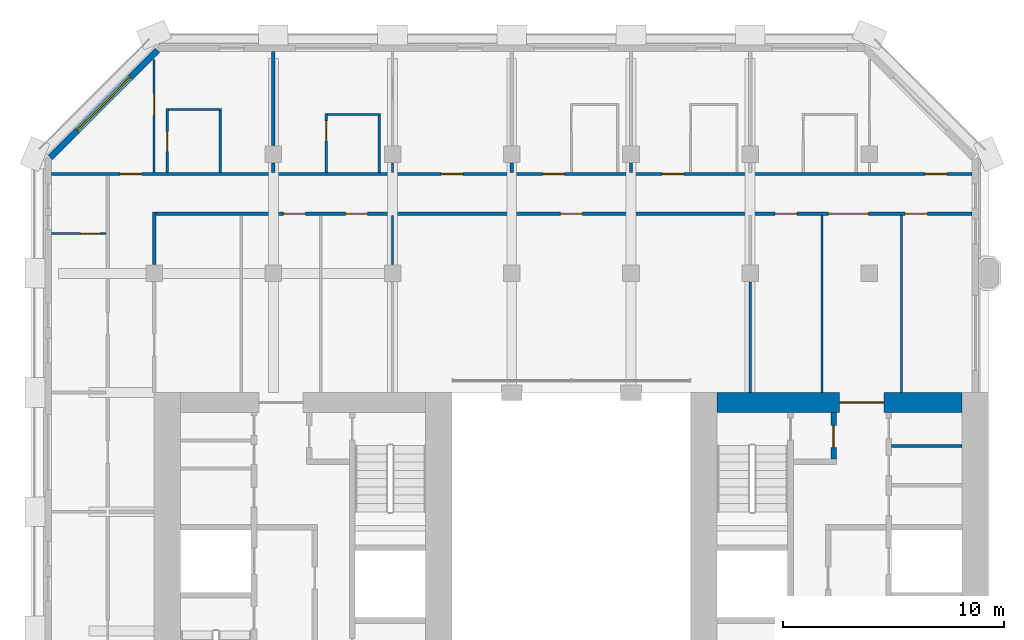
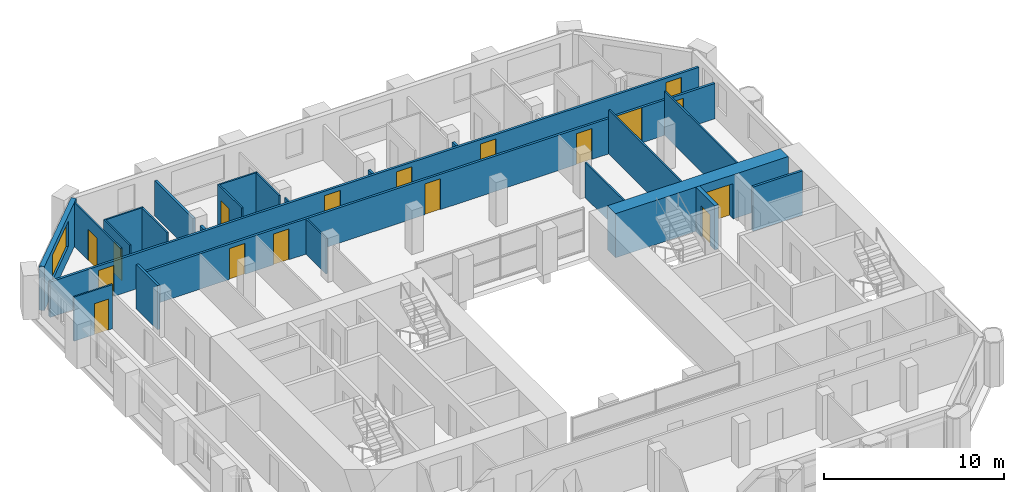
# One storey, part 9 of 14: 24 walls, 17 doors, 1 window, 18 openings.
"""IFC4 building model written with IfcOpenShell, lengths in metres."""

import ifcopenshell
import ifcopenshell.guid

model = None  # the IFC model being written
_history = None  # IfcOwnerHistory: only IFC2X3 demands one
_inside = {}  # id of a spatial element -> (the spatial element, [elements in it])
_under = {}  # id of a project, library or spatial element -> (it, [spatial elements below it])
_declared = {}  # id of a project -> (the project, [libraries it declares])
_typed = {}  # id of a type object -> (the type object, [elements of that type])
_made_of = {}  # id of a material, layer set ... -> (it, [elements and type objects made of it])


def new_model(schema):
    """Start an empty IFC model of exactly this schema.

    Asked for "IFC4X3", IfcOpenShell would pick the latest addendum, in which some entities
    have other attributes; the version numbers below select the first issue.
    IFC2X3 requires an IfcOwnerHistory on every rooted entity: one is made here for all.
    """
    global model, _history
    if schema == "IFC4X3":
        model = ifcopenshell.file(schema_version=(4, 3, 0, 0))
    else:
        model = ifcopenshell.file(schema=schema)
    _inside.clear()
    _under.clear()
    _declared.clear()
    _typed.clear()
    _made_of.clear()
    _history = None
    if model.schema == "IFC2X3":
        org = make("IfcOrganization", Name="unknown")
        user = make(
            "IfcPersonAndOrganization",
            ThePerson=make("IfcPerson", FamilyName="unknown"),
            TheOrganization=org,
        )
        app = make(
            "IfcApplication",
            ApplicationDeveloper=org,
            Version="unknown",
            ApplicationFullName="unknown",
            ApplicationIdentifier="unknown",
        )
        _history = make(
            "IfcOwnerHistory",
            OwningUser=user,
            OwningApplication=app,
            ChangeAction="ADDED",
            CreationDate=0,
        )
    return model


def make(cls, **values):
    """One entity of the class cls with the attributes given. An attribute that is None is left unset."""
    return model.create_entity(
        cls, **{name: value for name, value in values.items() if value is not None}
    )


def rooted(cls, **values):
    """An entity with a GlobalId (a new one), such as an element, a storey or a relation."""
    return make(cls, GlobalId=ifcopenshell.guid.new(), OwnerHistory=_history, **values)


def si_unit(unit_type, name, prefix=None):
    """IfcSIUnit, for example si_unit("LENGTHUNIT", "METRE", prefix="MILLI")."""
    return make("IfcSIUnit", UnitType=unit_type, Prefix=prefix, Name=name)


def assignment(units):
    """IfcUnitAssignment: the units of a project."""
    return None if units is None else make("IfcUnitAssignment", Units=units)


def point(xyz):
    """IfcCartesianPoint."""
    return None if xyz is None else make("IfcCartesianPoint", Coordinates=xyz)


def direction(xyz):
    """IfcDirection."""
    return None if xyz is None else make("IfcDirection", DirectionRatios=xyz)


def frame(location, z_axis=None, x_axis=None):
    """IfcAxis2Placement3D, a coordinate frame: its origin and axes. An axis left out is left unset."""
    return make(
        "IfcAxis2Placement3D",
        Location=point(location),
        Axis=direction(z_axis),
        RefDirection=direction(x_axis),
    )


def frame_2d(location, x_axis=None):
    """IfcAxis2Placement2D, a coordinate frame in the plane: its origin and x axis."""
    return make(
        "IfcAxis2Placement2D", Location=point(location), RefDirection=direction(x_axis)
    )


def origin():
    """The frame at (0, 0, 0) with its axes left unset."""
    return frame((0.0, 0.0, 0.0))


def place(relative_to, where):
    """IfcLocalPlacement: puts the frame where relative to a parent placement (None: the world)."""
    return make(
        "IfcLocalPlacement", PlacementRelTo=relative_to, RelativePlacement=where
    )


def context(
    kind, dimensions, precision=None, world=None, true_north=None, identifier=None
):
    """IfcGeometricRepresentationContext, for example the 3D "Model" context."""
    return make(
        "IfcGeometricRepresentationContext",
        ContextIdentifier=identifier,
        ContextType=kind,
        CoordinateSpaceDimension=dimensions,
        Precision=precision,
        WorldCoordinateSystem=world,
        TrueNorth=true_north,
    )


def subcontext(parent, identifier, kind, view, scale=None):
    """IfcGeometricRepresentationSubContext, for example "Body" below "Model"."""
    return make(
        "IfcGeometricRepresentationSubContext",
        ContextIdentifier=identifier,
        ContextType=kind,
        ParentContext=parent,
        TargetScale=scale,
        TargetView=view,
    )


def project(units=None, contexts=None):
    """IfcProject with its units and contexts."""
    return rooted(
        "IfcProject",
        Name="project",
        RepresentationContexts=contexts,
        UnitsInContext=assignment(units),
    )


def spatial(cls, under=None, at=None, **own):
    """A site, building, storey or space (cls), placed at a placement, below another one or the project."""
    s = rooted(cls, ObjectPlacement=at, **own)
    if under is not None:
        _under.setdefault(under.id(), (under, []))[1].append(s)
    return s


def profile(cls, at=None, kind="AREA", **sizes):
    """A parametric profile (cls). Its sizes go by their IFC names, for example OverallWidth=200.0."""
    return make(cls, ProfileType=kind, Position=at, **sizes)


def rectangle(**sizes):
    """IfcRectangleProfileDef."""
    return profile("IfcRectangleProfileDef", **sizes)


def extrude(swept, where, along, depth):
    """IfcExtrudedAreaSolid: the profile swept, set in the frame where, extruded along a direction by depth."""
    return make(
        "IfcExtrudedAreaSolid",
        SweptArea=swept,
        Position=where,
        ExtrudedDirection=direction(along),
        Depth=depth,
    )


def shape(context_of_items, identifier, shape_type, items):
    """IfcShapeRepresentation: the items that make up one representation, for example the "Body"."""
    return make(
        "IfcShapeRepresentation",
        ContextOfItems=context_of_items,
        RepresentationIdentifier=identifier,
        RepresentationType=shape_type,
        Items=items,
    )


def material(Name=None, Category=None):
    """IfcMaterial."""
    return make("IfcMaterial", Name=Name, Category=Category)


def layer(
    of_material, thickness, ventilated=None, Name=None, Category=None, Priority=None
):
    """IfcMaterialLayer: one layer of a wall or slab, of a material (None: an air gap)."""
    return make(
        "IfcMaterialLayer",
        Material=of_material,
        LayerThickness=thickness,
        IsVentilated=ventilated,
        Name=Name,
        Category=Category,
        Priority=Priority,
    )


def layer_set(layers, Name=None):
    """IfcMaterialLayerSet."""
    return make("IfcMaterialLayerSet", MaterialLayers=layers, LayerSetName=Name)


def made_of(thing, what):
    """Note that an element or type object is made of a material, layer set ...; save() writes the relation."""
    if what is not None:
        _made_of.setdefault(what.id(), (what, []))[1].append(thing)
    return thing


def type_object(cls, material=None, **own):
    """A type object (cls), such as IfcWallType, which elements share."""
    return made_of(rooted(cls, **own), material)


def element(
    cls,
    number,
    at=None,
    inside=None,
    cuts=None,
    type_object=None,
    material=None,
    context=None,
    identifier="Body",
    shape_type=None,
    held_by="IfcProductDefinitionShape",
    body=None,
    shapes=None,
    **own,
):
    """One element of the class cls, such as IfcWall. Its Tag is "e" and its number.

    at: its placement. inside: the storey or other place that contains it. cuts: it is an
    opening in that element (IfcRelVoidsElement). A single representation is given by context,
    identifier, shape_type and body (its items); several are given by shapes. held_by: the class
    of the entity that holds the representations. save() writes the other relations.
    """
    e = rooted(cls, Tag="e%d" % number, ObjectPlacement=at, **own)
    if body is not None:
        shapes = [shape(context, identifier, shape_type, body)]
    if shapes is not None:
        e.Representation = make(held_by, Representations=shapes)
    if inside is not None:
        _inside.setdefault(inside.id(), (inside, []))[1].append(e)
    if cuts is not None:
        rooted(
            "IfcRelVoidsElement", RelatingBuildingElement=cuts, RelatedOpeningElement=e
        )
    if type_object is not None:
        _typed.setdefault(type_object.id(), (type_object, []))[1].append(e)
    return made_of(e, material)


def fill(opening, filler):
    """IfcRelFillsElement: the door or window that sits in an opening."""
    return rooted(
        "IfcRelFillsElement",
        RelatingOpeningElement=opening,
        RelatedBuildingElement=filler,
    )


def aggregate(whole, parts):
    """IfcRelAggregates: a whole, such as a stair, and the parts it consists of."""
    return rooted("IfcRelAggregates", RelatingObject=whole, RelatedObjects=parts)


def save(model, path):
    """Write the relations noted so far, then the file.

    IfcRelAggregates (storeys below a building ...), IfcRelContainedInSpatialStructure (elements
    in a storey), IfcRelDefinesByType, IfcRelAssociatesMaterial and IfcRelDeclares: one each for
    every whole, place, type object, material and project.
    """
    for whole, parts in _under.values():
        aggregate(whole, parts)
    for where, things in _inside.values():
        rooted(
            "IfcRelContainedInSpatialStructure",
            RelatedElements=things,
            RelatingStructure=where,
        )
    for kind, things in _typed.values():
        rooted("IfcRelDefinesByType", RelatedObjects=things, RelatingType=kind)
    for what, things in _made_of.values():
        rooted("IfcRelAssociatesMaterial", RelatedObjects=things, RelatingMaterial=what)
    for by, libraries in _declared.values():
        rooted("IfcRelDeclares", RelatingContext=by, RelatedDefinitions=libraries)
    model.write(path)


model = new_model("IFC4")

# Units and contexts
model_context = context("Model", 3, precision=1e-05, world=origin(), true_north=direction((0.0, 1.0)))
body_context = subcontext(model_context, "Body", "Model", "MODEL_VIEW")
ifc_project = project(units=[si_unit("LENGTHUNIT", "METRE"), si_unit("AREAUNIT", "SQUARE_METRE"), si_unit("VOLUMEUNIT", "CUBIC_METRE"), si_unit("PLANEANGLEUNIT", "RADIAN"), si_unit("MASSUNIT", "GRAM", prefix="KILO")], contexts=[model_context])

# Site, building, storey
site_placement = place(None, origin())
site = spatial("IfcSite", under=ifc_project, at=site_placement, CompositionType="ELEMENT")
building_placement = place(site_placement, origin())
building = spatial("IfcBuilding", under=site, at=building_placement, Name="Tabaq Tower and Sports Hall", CompositionType="ELEMENT")
storey_placement = place(building_placement, frame((0.0, 0.0, 226.89990234375)))
storey = spatial("IfcBuildingStorey", under=building, at=storey_placement, Name="L57", CompositionType="ELEMENT", Elevation=226.89990234375)

# Wall
ifc_material_1 = material(Name="Blockwork", Category="masonry")
ifc_layer_1 = layer(ifc_material_1, 0.14990234375)
ifc_layer_set_1 = layer_set([ifc_layer_1], Name="Core room partition 150 Blockwork")
wall_type_1 = type_object("IfcWallType", Name="Core room partition 150 Blockwork", PredefinedType="PARTITIONING", material=ifc_layer_set_1)
wall_1_placement = place(storey_placement, frame((38.800048828125, 29.97705078125, 0.0), z_axis=(0.0, 0.0, 1.0), x_axis=(1.0, 0.0, 0.0)))
element("IfcWall", 1, at=wall_1_placement, inside=storey, type_object=wall_type_1, Name="Core room partition E L57", PredefinedType="PARTITIONING", context=body_context, shape_type="SweptSolid", body=[
    extrude(rectangle(XDim=3.199951171875, YDim=0.14990234375, at=frame_2d((1.60009765625, 0.0))), origin(), (0.0, 0.0, 1.0), 3.0),
])

# Wall, opening, door
ifc_material_2 = material(Name="Concrete C50/60", Category="concrete")
ifc_layer_2 = layer(ifc_material_2, 0.89990234375)
ifc_layer_set_2 = layer_set([ifc_layer_2], Name="Core wall 900 Concrete C50/60")
wall_type_2 = type_object("IfcWallType", Name="Core wall 900 Concrete C50/60", PredefinedType="SOLIDWALL", material=ifc_layer_set_2)
wall_2_placement = place(storey_placement, frame((30.89990234375, 31.949951171875, 0.0), z_axis=(0.0, 0.0, 1.0), x_axis=(1.0, 0.0, 0.0)))
wall_2 = element("IfcWall", 2, at=wall_2_placement, inside=storey, type_object=wall_type_2, Name="Core wall E L57", PredefinedType="SOLIDWALL", context=body_context, shape_type="SweptSolid", body=[
    extrude(rectangle(XDim=11.10009765625, YDim=0.89990234375, at=frame_2d((5.550048828125, 0.0))), origin(), (0.0, 0.0, 1.0), 3.0),
])
opening_1_placement = place(wall_2_placement, frame((5.550048828125, 0.0, 0.0)))
opening_1 = element("IfcOpeningElement", 3, at=opening_1_placement, cuts=wall_2, Name="Opening PD-EL57-02", PredefinedType="OPENING", context=body_context, shape_type="SweptSolid", body=[
    extrude(rectangle(XDim=2.0, YDim=2.39990234375, at=frame_2d((1.0, 1.199951171875))), frame((0.0, 0.449951171875, 0.0), z_axis=(0.0, -1.0, 0.0), x_axis=(1.0, 0.0, 0.0)), (0.0, 0.0, 1.0), 0.89990234375),
])
ifc_material_3 = material(Name="Steel fire door", Category="steel")
door_type_1 = type_object("IfcDoorType", Name="Core entrance door 2000", OperationType="DOUBLE_DOOR_SINGLE_SWING", PredefinedType="DOOR", material=ifc_material_3)
door_1_placement = place(opening_1_placement, origin())
door_1 = element("IfcDoor", 4, at=door_1_placement, inside=storey, type_object=door_type_1, Name="Core entrance north E L57", OperationType="DOUBLE_DOOR_SINGLE_SWING", OverallHeight=2.39990234375, OverallWidth=2.0, PredefinedType="DOOR", context=body_context, shape_type="SweptSolid", body=[
    extrude(rectangle(XDim=2.0, YDim=2.39990234375, at=frame_2d((1.0, 1.199951171875))), frame((0.0, 0.02490234375, 0.0), z_axis=(0.0, -1.0, 0.0), x_axis=(1.0, 0.0, 0.0)), (0.0, 0.0, 1.0), 0.050048828125),
])
fill(opening_1, door_1)

ifc_material_4 = material(Name="Gypsum board on steel studs", Category="steel")
ifc_layer_3 = layer(ifc_material_4, 0.10009765625)
ifc_layer_set_3 = layer_set([ifc_layer_3], Name="Partition 100 Gypsum board")
wall_type_3 = type_object("IfcWallType", Name="Partition 100 Gypsum board", PredefinedType="PARTITIONING", material=ifc_layer_set_3)
wall_3_placement = place(storey_placement, frame((3.22509765625, 39.60009765625, 0.0), z_axis=(0.0, 0.0, 1.0), x_axis=(-1.0, 0.0, 0.0)))
wall_3 = element("IfcWall", 5, at=wall_3_placement, inside=storey, type_object=wall_type_3, Name="Partition wall L57", PredefinedType="PARTITIONING", context=body_context, shape_type="SweptSolid", body=[
    extrude(rectangle(XDim=2.47412109375, YDim=0.10009765625, at=frame_2d((1.237060546875, 0.0))), origin(), (0.0, 0.0, 1.0), 3.0),
])
opening_2_placement = place(wall_3_placement, frame((0.25, 0.0, 0.0)))
opening_2 = element("IfcOpeningElement", 6, at=opening_2_placement, cuts=wall_3, Name="Opening L57-001", PredefinedType="OPENING", context=body_context, shape_type="SweptSolid", body=[
    extrude(rectangle(XDim=0.89990234375, YDim=2.10009765625, at=frame_2d((0.449951171875, 1.050048828125))), frame((0.0, 0.050048828125, 0.0), z_axis=(0.0, -1.0, 0.0), x_axis=(1.0, 0.0, 0.0)), (0.0, 0.0, 1.0), 0.10009765625),
])
ifc_material_5 = material(Name="Timber leaf in steel frame", Category="steel")
door_type_2 = type_object("IfcDoorType", Name="Internal door 900 right hand", OperationType="SINGLE_SWING_RIGHT", PredefinedType="DOOR", material=ifc_material_5)
door_2_placement = place(opening_2_placement, origin())
door_2 = element("IfcDoor", 7, at=door_2_placement, inside=storey, type_object=door_type_2, Name="Internal door L57-001", OperationType="SINGLE_SWING_RIGHT", OverallHeight=2.10009765625, OverallWidth=0.89990234375, PredefinedType="DOOR", context=body_context, shape_type="SweptSolid", body=[
    extrude(rectangle(XDim=0.89990234375, YDim=2.10009765625, at=frame_2d((0.449951171875, 1.050048828125))), frame((0.0, 0.02490234375, 0.0), z_axis=(0.0, -1.0, 0.0), x_axis=(1.0, 0.0, 0.0)), (0.0, 0.0, 1.0), 0.050048828125),
])
fill(opening_2, door_2)

wall_4_placement = place(storey_placement, frame((13.199951171875, 42.375, 0.0), z_axis=(0.0, 0.0, 1.0), x_axis=(0.0, 1.0, 0.0)))
wall_4 = element("IfcWall", 8, at=wall_4_placement, inside=storey, type_object=wall_type_3, Name="Partition wall L57", PredefinedType="PARTITIONING", context=body_context, shape_type="SweptSolid", body=[
    extrude(rectangle(XDim=2.675048828125, YDim=0.10009765625, at=frame_2d((1.33740234375, 0.0))), origin(), (0.0, 0.0, 1.0), 3.0),
])
opening_3_placement = place(wall_4_placement, frame((1.425048828125, 0.0, 0.0)))
opening_3 = element("IfcOpeningElement", 9, at=opening_3_placement, cuts=wall_4, Name="Opening L57-005", PredefinedType="OPENING", context=body_context, shape_type="SweptSolid", body=[
    extrude(rectangle(XDim=0.89990234375, YDim=2.10009765625, at=frame_2d((0.449951171875, 1.050048828125))), frame((0.0, 0.050048828125, 0.0), z_axis=(0.0, -1.0, 0.0), x_axis=(1.0, 0.0, 0.0)), (0.0, 0.0, 1.0), 0.10009765625),
])
door_3_placement = place(opening_3_placement, origin())
door_3 = element("IfcDoor", 10, at=door_3_placement, inside=storey, type_object=door_type_2, Name="Internal door L57-005", OperationType="SINGLE_SWING_RIGHT", OverallHeight=2.10009765625, OverallWidth=0.89990234375, PredefinedType="DOOR", context=body_context, shape_type="SweptSolid", body=[
    extrude(rectangle(XDim=0.89990234375, YDim=2.10009765625, at=frame_2d((0.449951171875, 1.050048828125))), frame((0.0, 0.02490234375, 0.0), z_axis=(0.0, -1.0, 0.0), x_axis=(1.0, 0.0, 0.0)), (0.0, 0.0, 1.0), 0.050048828125),
])
fill(opening_3, door_3)

# Walls
wall_5_placement = place(storey_placement, frame((13.25, 45.0, 0.0), z_axis=(0.0, 0.0, 1.0), x_axis=(1.0, 0.0, 0.0)))
element("IfcWall", 11, at=wall_5_placement, inside=storey, type_object=wall_type_3, Name="Partition wall L57", PredefinedType="PARTITIONING", context=body_context, shape_type="SweptSolid", body=[
    extrude(rectangle(XDim=2.39990234375, YDim=0.10009765625, at=frame_2d((1.199951171875, 0.0))), origin(), (0.0, 0.0, 1.0), 3.0),
])
wall_6_placement = place(storey_placement, frame((15.60009765625, 44.949951171875, 0.0), z_axis=(0.0, 0.0, 1.0), x_axis=(0.0, -1.0, 0.0)))
element("IfcWall", 12, at=wall_6_placement, inside=storey, type_object=wall_type_3, Name="Partition wall L57", PredefinedType="PARTITIONING", context=body_context, shape_type="SweptSolid", body=[
    extrude(rectangle(XDim=2.574951171875, YDim=0.10009765625, at=frame_2d((1.28759765625, 0.0))), origin(), (0.0, 0.0, 1.0), 3.0),
])
wall_7_placement = place(storey_placement, frame((16.199951171875, 42.375, 0.0), z_axis=(0.0, 0.0, 1.0), x_axis=(0.0, 1.0, 0.0)))
element("IfcWall", 13, at=wall_7_placement, inside=storey, type_object=wall_type_3, Name="Partition wall L57", PredefinedType="PARTITIONING", context=body_context, shape_type="SweptSolid", body=[
    extrude(rectangle(XDim=0.429931640625, YDim=0.10009765625, at=frame_2d((0.21484375, 0.0))), origin(), (0.0, 0.0, 1.0), 2.400146484375),
])

# Wall, opening, door
wall_8_placement = place(storey_placement, frame((5.39990234375, 47.48779296875, 0.0), z_axis=(0.0, 0.0, 1.0), x_axis=(0.0, -1.0, 0.0)))
wall_8 = element("IfcWall", 14, at=wall_8_placement, inside=storey, type_object=wall_type_3, Name="Partition wall L57", PredefinedType="PARTITIONING", context=body_context, shape_type="SweptSolid", body=[
    extrude(rectangle(XDim=5.11279296875, YDim=0.10009765625, at=frame_2d((2.556396484375, 0.0))), origin(), (0.0, 0.0, 1.0), 3.0),
])
opening_4_placement = place(wall_8_placement, frame((1.537841796875, 0.0, 0.0)))
opening_4 = element("IfcOpeningElement", 15, at=opening_4_placement, cuts=wall_8, Name="Opening L57-031", PredefinedType="OPENING", context=body_context, shape_type="SweptSolid", body=[
    extrude(rectangle(XDim=1.0, YDim=2.10009765625, at=frame_2d((0.5, 1.050048828125))), frame((0.0, 0.050048828125, 0.0), z_axis=(0.0, -1.0, 0.0), x_axis=(1.0, 0.0, 0.0)), (0.0, 0.0, 1.0), 0.10009765625),
])
ifc_material_6 = material(Name="Timber leaf in steel frame", Category="steel")
door_type_3 = type_object("IfcDoorType", Name="Internal door 1000 left hand", OperationType="SINGLE_SWING_LEFT", PredefinedType="DOOR", material=ifc_material_6)
door_4_placement = place(opening_4_placement, origin())
door_4 = element("IfcDoor", 16, at=door_4_placement, inside=storey, type_object=door_type_3, Name="Internal door L57-031", OperationType="SINGLE_SWING_LEFT", OverallHeight=2.10009765625, OverallWidth=1.0, PredefinedType="DOOR", context=body_context, shape_type="SweptSolid", body=[
    extrude(rectangle(XDim=1.0, YDim=2.10009765625, at=frame_2d((0.5, 1.050048828125))), frame((0.0, 0.02490234375, 0.0), z_axis=(0.0, -1.0, 0.0), x_axis=(1.0, 0.0, 0.0)), (0.0, 0.0, 1.0), 0.050048828125),
])
fill(opening_4, door_4)

wall_9_placement = place(storey_placement, frame((6.0, 42.375, 0.0), z_axis=(0.0, 0.0, 1.0), x_axis=(0.0, 1.0, 0.0)))
wall_9 = element("IfcWall", 17, at=wall_9_placement, inside=storey, type_object=wall_type_3, Name="Partition wall L57", PredefinedType="PARTITIONING", context=body_context, shape_type="SweptSolid", body=[
    extrude(rectangle(XDim=2.89990234375, YDim=0.10009765625, at=frame_2d((1.449951171875, 0.0))), origin(), (0.0, 0.0, 1.0), 3.0),
])
opening_5_placement = place(wall_9_placement, frame((0.93798828125, 0.0, 0.0)))
opening_5 = element("IfcOpeningElement", 18, at=opening_5_placement, cuts=wall_9, Name="Opening L57-006", PredefinedType="OPENING", context=body_context, shape_type="SweptSolid", body=[
    extrude(rectangle(XDim=0.89990234375, YDim=2.10009765625, at=frame_2d((0.449951171875, 1.050048828125))), frame((0.0, 0.050048828125, 0.0), z_axis=(0.0, -1.0, 0.0), x_axis=(1.0, 0.0, 0.0)), (0.0, 0.0, 1.0), 0.10009765625),
])
ifc_material_7 = material(Name="Timber leaf in steel frame", Category="steel")
door_type_4 = type_object("IfcDoorType", Name="Internal door 900 left hand", OperationType="SINGLE_SWING_LEFT", PredefinedType="DOOR", material=ifc_material_7)
door_5_placement = place(opening_5_placement, origin())
door_5 = element("IfcDoor", 19, at=door_5_placement, inside=storey, type_object=door_type_4, Name="Internal door L57-006", OperationType="SINGLE_SWING_LEFT", OverallHeight=2.10009765625, OverallWidth=0.89990234375, PredefinedType="DOOR", context=body_context, shape_type="SweptSolid", body=[
    extrude(rectangle(XDim=0.89990234375, YDim=2.10009765625, at=frame_2d((0.449951171875, 1.050048828125))), frame((0.0, 0.02490234375, 0.0), z_axis=(0.0, -1.0, 0.0), x_axis=(1.0, 0.0, 0.0)), (0.0, 0.0, 1.0), 0.050048828125),
])
fill(opening_5, door_5)

# Walls
wall_10_placement = place(storey_placement, frame((6.050048828125, 45.22509765625, 0.0), z_axis=(0.0, 0.0, 1.0), x_axis=(1.0, 0.0, 0.0)))
element("IfcWall", 20, at=wall_10_placement, inside=storey, type_object=wall_type_3, Name="Partition wall L57", PredefinedType="PARTITIONING", context=body_context, shape_type="SweptSolid", body=[
    extrude(rectangle(XDim=2.39990234375, YDim=0.10009765625, at=frame_2d((1.199951171875, 0.0))), origin(), (0.0, 0.0, 1.0), 3.0),
])
wall_11_placement = place(storey_placement, frame((8.39990234375, 45.175048828125, 0.0), z_axis=(0.0, 0.0, 1.0), x_axis=(0.0, -1.0, 0.0)))
element("IfcWall", 21, at=wall_11_placement, inside=storey, type_object=wall_type_3, Name="Partition wall L57", PredefinedType="PARTITIONING", context=body_context, shape_type="SweptSolid", body=[
    extrude(rectangle(XDim=2.800048828125, YDim=0.10009765625, at=frame_2d((1.39990234375, 0.0))), origin(), (0.0, 0.0, 1.0), 3.0),
])
wall_12_placement = place(storey_placement, frame((32.39990234375, 32.39990234375, 0.0), z_axis=(0.0, 0.0, 1.0), x_axis=(0.0, 1.0, 0.0)))
element("IfcWall", 22, at=wall_12_placement, inside=storey, type_object=wall_type_3, Name="Partition wall L57", PredefinedType="PARTITIONING", context=body_context, shape_type="SweptSolid", body=[
    extrude(rectangle(XDim=5.005126953125, YDim=0.10009765625, at=frame_2d((2.50244140625, 0.0))), origin(), (0.0, 0.0, 1.0), 2.400146484375),
])
wall_13_placement = place(storey_placement, frame((16.199951171875, 40.425048828125, 0.0), z_axis=(0.0, 0.0, 1.0), x_axis=(0.0, -1.0, 0.0)))
element("IfcWall", 23, at=wall_13_placement, inside=storey, type_object=wall_type_3, Name="Partition wall L57", PredefinedType="PARTITIONING", context=body_context, shape_type="SweptSolid", body=[
    extrude(rectangle(XDim=2.22998046875, YDim=0.10009765625, at=frame_2d((1.114990234375, 0.0))), origin(), (0.0, 0.0, 1.0), 2.400146484375),
])
for number, where, z_axis, x_axis, name in (
    (24, (39.25, 32.39990234375, 0.0), (0.0, 0.0, 1.0), (0.0, 1.0, 0.0), "Partition wall L57"),
    (25, (35.64990234375, 40.425048828125, 0.0), (0.0, 0.0, 1.0), (0.0, -1.0, 0.0), "Partition wall L57"),
):
    element("IfcWall", number, at=place(storey_placement, frame(where, z_axis=z_axis, x_axis=x_axis)), inside=storey, type_object=wall_type_3, Name=name, PredefinedType="PARTITIONING", context=body_context, shape_type="SweptSolid", body=[
        extrude(rectangle(XDim=8.025146484375, YDim=0.10009765625, at=frame_2d((4.0126953125, 0.0))), origin(), (0.0, 0.0, 1.0), 3.0),
    ])
ifc_material_8 = material(Name="Blockwork", Category="masonry")
ifc_layer_4 = layer(ifc_material_8, 0.14990234375)
ifc_layer_set_4 = layer_set([ifc_layer_4], Name="Separating wall 150 Blockwork")
wall_type_4 = type_object("IfcWallType", Name="Separating wall 150 Blockwork", PredefinedType="PARTITIONING", material=ifc_layer_set_4)
for number, where, z_axis, x_axis, name in (
    (26, (27.0, 42.804931640625, 0.0), (0.0, 0.0, 1.0), (0.0, -1.0, 0.0), "Separating wall L57"),
    (27, (21.60009765625, 42.804931640625, 0.0), (0.0, 0.0, 1.0), (0.0, -1.0, 0.0), "Separating wall L57"),
):
    element("IfcWall", number, at=place(storey_placement, frame(where, z_axis=z_axis, x_axis=x_axis)), inside=storey, type_object=wall_type_4, Name=name, PredefinedType="PARTITIONING", context=body_context, shape_type="SweptSolid", body=[
        extrude(rectangle(XDim=0.429931640625, YDim=0.14990234375, at=frame_2d((0.21484375, 0.0))), origin(), (0.0, 0.0, 1.0), 2.400146484375),
    ])
wall_14_placement = place(storey_placement, frame((10.800048828125, 47.84912109375, 0.0), z_axis=(0.0, 0.0, 1.0), x_axis=(0.0, -1.0, 0.0)))
element("IfcWall", 28, at=wall_14_placement, inside=storey, type_object=wall_type_4, Name="Separating wall L57", PredefinedType="PARTITIONING", context=body_context, shape_type="SweptSolid", body=[
    extrude(rectangle(XDim=4.254150390625, YDim=0.14990234375, at=frame_2d((2.126953125, 0.0))), origin(), (0.0, 0.0, 1.0), 2.400146484375),
])
wall_15_placement = place(storey_placement, frame((10.800048828125, 42.804931640625, 0.0), z_axis=(0.0, 0.0, 1.0), x_axis=(0.0, -1.0, 0.0)))
element("IfcWall", 29, at=wall_15_placement, inside=storey, type_object=wall_type_4, Name="Separating wall L57", PredefinedType="PARTITIONING", context=body_context, shape_type="SweptSolid", body=[
    extrude(rectangle(XDim=0.429931640625, YDim=0.14990234375, at=frame_2d((0.21484375, 0.0))), origin(), (0.0, 0.0, 1.0), 2.400146484375),
])

# Wall, openings, doors
wall_16_placement = place(storey_placement, frame((42.448974609375, 42.300048828125, 0.0), z_axis=(0.0, 0.0, 1.0), x_axis=(-1.0, 0.0, 0.0)))
wall_16 = element("IfcWall", 30, at=wall_16_placement, inside=storey, type_object=wall_type_4, Name="Separating wall L57", PredefinedType="PARTITIONING", context=body_context, shape_type="SweptSolid", body=[
    extrude(rectangle(XDim=41.697998046875, YDim=0.14990234375, at=frame_2d((20.84912109375, 0.0))), origin(), (0.0, 0.0, 1.0), 2.400146484375),
])
opening_6_placement = place(wall_16_placement, frame((1.132080078125, 0.0, 0.0)))
opening_6 = element("IfcOpeningElement", 31, at=opening_6_placement, cuts=wall_16, Name="Opening L57-026", PredefinedType="OPENING", context=body_context, shape_type="SweptSolid", body=[
    extrude(rectangle(XDim=1.0, YDim=2.10009765625, at=frame_2d((0.5, 1.050048828125))), frame((0.0, 0.074951171875, 0.0), z_axis=(0.0, -1.0, 0.0), x_axis=(1.0, 0.0, 0.0)), (0.0, 0.0, 1.0), 0.14990234375),
])
opening_7_placement = place(wall_16_placement, frame((13.049072265625, 0.0, 0.0)))
opening_7 = element("IfcOpeningElement", 32, at=opening_7_placement, cuts=wall_16, Name="Opening L57-027", PredefinedType="OPENING", context=body_context, shape_type="SweptSolid", body=[
    extrude(rectangle(XDim=1.0, YDim=2.10009765625, at=frame_2d((0.5, 1.050048828125))), frame((0.0, 0.074951171875, 0.0), z_axis=(0.0, -1.0, 0.0), x_axis=(1.0, 0.0, 0.0)), (0.0, 0.0, 1.0), 0.14990234375),
])
opening_8_placement = place(wall_16_placement, frame((18.448974609375, 0.0, 0.0)))
opening_8 = element("IfcOpeningElement", 33, at=opening_8_placement, cuts=wall_16, Name="Opening L57-028", PredefinedType="OPENING", context=body_context, shape_type="SweptSolid", body=[
    extrude(rectangle(XDim=1.0, YDim=2.10009765625, at=frame_2d((0.5, 1.050048828125))), frame((0.0, 0.074951171875, 0.0), z_axis=(0.0, -1.0, 0.0), x_axis=(1.0, 0.0, 0.0)), (0.0, 0.0, 1.0), 0.14990234375),
])
opening_9_placement = place(wall_16_placement, frame((23.049072265625, 0.0, 0.0)))
opening_9 = element("IfcOpeningElement", 34, at=opening_9_placement, cuts=wall_16, Name="Opening L57-030", PredefinedType="OPENING", context=body_context, shape_type="SweptSolid", body=[
    extrude(rectangle(XDim=1.0, YDim=2.10009765625, at=frame_2d((0.5, 1.050048828125))), frame((0.0, 0.074951171875, 0.0), z_axis=(0.0, -1.0, 0.0), x_axis=(1.0, 0.0, 0.0)), (0.0, 0.0, 1.0), 0.14990234375),
])
opening_10_placement = place(wall_16_placement, frame((37.59912109375, 0.0, 0.0)))
opening_10 = element("IfcOpeningElement", 35, at=opening_10_placement, cuts=wall_16, Name="Opening L57-032", PredefinedType="OPENING", context=body_context, shape_type="SweptSolid", body=[
    extrude(rectangle(XDim=1.0, YDim=2.10009765625, at=frame_2d((0.5, 1.050048828125))), frame((0.0, 0.074951171875, 0.0), z_axis=(0.0, -1.0, 0.0), x_axis=(1.0, 0.0, 0.0)), (0.0, 0.0, 1.0), 0.14990234375),
])
ifc_material_9 = material(Name="Steel fire door", Category="steel")
door_type_5 = type_object("IfcDoorType", Name="Entrance door 1000 right hand", OperationType="SINGLE_SWING_RIGHT", PredefinedType="DOOR", material=ifc_material_9)
door_6_placement = place(opening_6_placement, origin())
door_6 = element("IfcDoor", 36, at=door_6_placement, inside=storey, type_object=door_type_5, Name="Entrance door L57-026", OperationType="SINGLE_SWING_RIGHT", OverallHeight=2.10009765625, OverallWidth=1.0, PredefinedType="DOOR", context=body_context, shape_type="SweptSolid", body=[
    extrude(rectangle(XDim=1.0, YDim=2.10009765625, at=frame_2d((0.5, 1.050048828125))), frame((0.0, 0.02490234375, 0.0), z_axis=(0.0, -1.0, 0.0), x_axis=(1.0, 0.0, 0.0)), (0.0, 0.0, 1.0), 0.050048828125),
])
fill(opening_6, door_6)
door_7_placement = place(opening_7_placement, origin())
door_7 = element("IfcDoor", 37, at=door_7_placement, inside=storey, type_object=door_type_5, Name="Entrance door L57-027", OperationType="SINGLE_SWING_RIGHT", OverallHeight=2.10009765625, OverallWidth=1.0, PredefinedType="DOOR", context=body_context, shape_type="SweptSolid", body=[
    extrude(rectangle(XDim=1.0, YDim=2.10009765625, at=frame_2d((0.5, 1.050048828125))), frame((0.0, 0.02490234375, 0.0), z_axis=(0.0, -1.0, 0.0), x_axis=(1.0, 0.0, 0.0)), (0.0, 0.0, 1.0), 0.050048828125),
])
fill(opening_7, door_7)
door_8_placement = place(opening_8_placement, origin())
door_8 = element("IfcDoor", 38, at=door_8_placement, inside=storey, type_object=door_type_5, Name="Entrance door L57-028", OperationType="SINGLE_SWING_RIGHT", OverallHeight=2.10009765625, OverallWidth=1.0, PredefinedType="DOOR", context=body_context, shape_type="SweptSolid", body=[
    extrude(rectangle(XDim=1.0, YDim=2.10009765625, at=frame_2d((0.5, 1.050048828125))), frame((0.0, 0.02490234375, 0.0), z_axis=(0.0, -1.0, 0.0), x_axis=(1.0, 0.0, 0.0)), (0.0, 0.0, 1.0), 0.050048828125),
])
fill(opening_8, door_8)
door_9_placement = place(opening_9_placement, origin())
door_9 = element("IfcDoor", 39, at=door_9_placement, inside=storey, type_object=door_type_5, Name="Entrance door L57-030", OperationType="SINGLE_SWING_RIGHT", OverallHeight=2.10009765625, OverallWidth=1.0, PredefinedType="DOOR", context=body_context, shape_type="SweptSolid", body=[
    extrude(rectangle(XDim=1.0, YDim=2.10009765625, at=frame_2d((0.5, 1.050048828125))), frame((0.0, 0.02490234375, 0.0), z_axis=(0.0, -1.0, 0.0), x_axis=(1.0, 0.0, 0.0)), (0.0, 0.0, 1.0), 0.050048828125),
])
fill(opening_9, door_9)
door_10_placement = place(opening_10_placement, origin())
door_10 = element("IfcDoor", 40, at=door_10_placement, inside=storey, type_object=door_type_5, Name="Entrance door L57-032", OperationType="SINGLE_SWING_RIGHT", OverallHeight=2.10009765625, OverallWidth=1.0, PredefinedType="DOOR", context=body_context, shape_type="SweptSolid", body=[
    extrude(rectangle(XDim=1.0, YDim=2.10009765625, at=frame_2d((0.5, 1.050048828125))), frame((0.0, 0.02490234375, 0.0), z_axis=(0.0, -1.0, 0.0), x_axis=(1.0, 0.0, 0.0)), (0.0, 0.0, 1.0), 0.050048828125),
])
fill(opening_10, door_10)

# Wall
wall_17_placement = place(storey_placement, frame((5.39990234375, 38.195068359375, 0.0), z_axis=(0.0, 0.0, 1.0), x_axis=(0.0, 1.0, 0.0)))
element("IfcWall", 41, at=wall_17_placement, inside=storey, type_object=wall_type_4, Name="Separating wall L57", PredefinedType="PARTITIONING", context=body_context, shape_type="SweptSolid", body=[
    extrude(rectangle(XDim=2.3798828125, YDim=0.14990234375, at=frame_2d((1.18994140625, 0.0))), origin(), (0.0, 0.0, 1.0), 3.0),
])

# Wall, openings, doors
wall_18_placement = place(storey_placement, frame((42.448974609375, 40.5, 0.0), z_axis=(0.0, 0.0, 1.0), x_axis=(-1.0, 0.0, 0.0)))
wall_18 = element("IfcWall", 42, at=wall_18_placement, inside=storey, type_object=wall_type_4, Name="Separating wall L57", PredefinedType="PARTITIONING", context=body_context, shape_type="SweptSolid", body=[
    extrude(rectangle(XDim=36.973876953125, YDim=0.14990234375, at=frame_2d((18.48681640625, 0.0))), origin(), (0.0, 0.0, 1.0), 2.400146484375),
])
opening_11_placement = place(wall_18_placement, frame((17.64892578125, 0.0, 0.0)))
opening_11 = element("IfcOpeningElement", 43, at=opening_11_placement, cuts=wall_18, Name="Opening L57-007", PredefinedType="OPENING", context=body_context, shape_type="SweptSolid", body=[
    extrude(rectangle(XDim=1.0, YDim=2.10009765625, at=frame_2d((0.5, 1.050048828125))), frame((0.0, 0.074951171875, 0.0), z_axis=(0.0, -1.0, 0.0), x_axis=(1.0, 0.0, 0.0)), (0.0, 0.0, 1.0), 0.14990234375),
])
opening_12_placement = place(wall_18_placement, frame((2.029052734375, 0.0, 0.0)))
opening_12 = element("IfcOpeningElement", 44, at=opening_12_placement, cuts=wall_18, Name="Opening L57-009", PredefinedType="OPENING", context=body_context, shape_type="SweptSolid", body=[
    extrude(rectangle(XDim=1.0, YDim=2.10009765625, at=frame_2d((0.5, 1.050048828125))), frame((0.0, 0.074951171875, 0.0), z_axis=(0.0, -1.0, 0.0), x_axis=(1.0, 0.0, 0.0)), (0.0, 0.0, 1.0), 0.14990234375),
])
opening_13_placement = place(wall_18_placement, frame((27.3740234375, 0.0, 0.0)))
opening_13 = element("IfcOpeningElement", 45, at=opening_13_placement, cuts=wall_18, Name="Opening L57-010", PredefinedType="OPENING", context=body_context, shape_type="SweptSolid", body=[
    extrude(rectangle(XDim=1.0, YDim=2.10009765625, at=frame_2d((0.5, 1.050048828125))), frame((0.0, 0.074951171875, 0.0), z_axis=(0.0, -1.0, 0.0), x_axis=(1.0, 0.0, 0.0)), (0.0, 0.0, 1.0), 0.14990234375),
])
opening_14_placement = place(wall_18_placement, frame((7.924072265625, 0.0, 0.0)))
opening_14 = element("IfcOpeningElement", 46, at=opening_14_placement, cuts=wall_18, Name="Opening L57-012", PredefinedType="OPENING", context=body_context, shape_type="SweptSolid", body=[
    extrude(rectangle(XDim=1.0, YDim=2.10009765625, at=frame_2d((0.5, 1.050048828125))), frame((0.0, 0.074951171875, 0.0), z_axis=(0.0, -1.0, 0.0), x_axis=(1.0, 0.0, 0.0)), (0.0, 0.0, 1.0), 0.14990234375),
])
opening_15_placement = place(wall_18_placement, frame((4.698974609375, 0.0, 0.0)))
opening_15 = element("IfcOpeningElement", 47, at=opening_15_placement, cuts=wall_18, Name="Opening L57-033", PredefinedType="OPENING", context=body_context, shape_type="SweptSolid", body=[
    extrude(rectangle(XDim=1.800048828125, YDim=2.39990234375, at=frame_2d((0.89990234375, 1.199951171875))), frame((0.0, 0.074951171875, 0.0), z_axis=(0.0, -1.0, 0.0), x_axis=(1.0, 0.0, 0.0)), (0.0, 0.0, 1.0), 0.14990234375),
])
opening_16_placement = place(wall_18_placement, frame((30.198974609375, 0.0, 0.0)))
opening_16 = element("IfcOpeningElement", 48, at=opening_16_placement, cuts=wall_18, Name="Opening L57-034", PredefinedType="OPENING", context=body_context, shape_type="SweptSolid", body=[
    extrude(rectangle(XDim=1.0, YDim=2.10009765625, at=frame_2d((0.5, 1.050048828125))), frame((0.0, 0.074951171875, 0.0), z_axis=(0.0, -1.0, 0.0), x_axis=(1.0, 0.0, 0.0)), (0.0, 0.0, 1.0), 0.14990234375),
])
door_11_placement = place(opening_12_placement, origin())
door_11 = element("IfcDoor", 49, at=door_11_placement, inside=storey, type_object=door_type_3, Name="Internal door L57-009", OperationType="SINGLE_SWING_LEFT", OverallHeight=2.10009765625, OverallWidth=1.0, PredefinedType="DOOR", context=body_context, shape_type="SweptSolid", body=[
    extrude(rectangle(XDim=1.0, YDim=2.10009765625, at=frame_2d((0.5, 1.050048828125))), frame((0.0, 0.02490234375, 0.0), z_axis=(0.0, -1.0, 0.0), x_axis=(1.0, 0.0, 0.0)), (0.0, 0.0, 1.0), 0.050048828125),
])
fill(opening_12, door_11)
door_12_placement = place(opening_16_placement, origin())
door_12 = element("IfcDoor", 50, at=door_12_placement, inside=storey, type_object=door_type_3, Name="Internal door L57-034", OperationType="SINGLE_SWING_LEFT", OverallHeight=2.10009765625, OverallWidth=1.0, PredefinedType="DOOR", context=body_context, shape_type="SweptSolid", body=[
    extrude(rectangle(XDim=1.0, YDim=2.10009765625, at=frame_2d((0.5, 1.050048828125))), frame((0.0, 0.02490234375, 0.0), z_axis=(0.0, -1.0, 0.0), x_axis=(1.0, 0.0, 0.0)), (0.0, 0.0, 1.0), 0.050048828125),
])
fill(opening_16, door_12)
ifc_material_10 = material(Name="Timber leaf in steel frame", Category="steel")
door_type_6 = type_object("IfcDoorType", Name="Internal door 1000 right hand", OperationType="SINGLE_SWING_RIGHT", PredefinedType="DOOR", material=ifc_material_10)
door_13_placement = place(opening_11_placement, origin())
door_13 = element("IfcDoor", 51, at=door_13_placement, inside=storey, type_object=door_type_6, Name="Internal door L57-007", OperationType="SINGLE_SWING_RIGHT", OverallHeight=2.10009765625, OverallWidth=1.0, PredefinedType="DOOR", context=body_context, shape_type="SweptSolid", body=[
    extrude(rectangle(XDim=1.0, YDim=2.10009765625, at=frame_2d((0.5, 1.050048828125))), frame((0.0, 0.02490234375, 0.0), z_axis=(0.0, -1.0, 0.0), x_axis=(1.0, 0.0, 0.0)), (0.0, 0.0, 1.0), 0.050048828125),
])
fill(opening_11, door_13)
door_14_placement = place(opening_13_placement, origin())
door_14 = element("IfcDoor", 52, at=door_14_placement, inside=storey, type_object=door_type_6, Name="Internal door L57-010", OperationType="SINGLE_SWING_RIGHT", OverallHeight=2.10009765625, OverallWidth=1.0, PredefinedType="DOOR", context=body_context, shape_type="SweptSolid", body=[
    extrude(rectangle(XDim=1.0, YDim=2.10009765625, at=frame_2d((0.5, 1.050048828125))), frame((0.0, 0.02490234375, 0.0), z_axis=(0.0, -1.0, 0.0), x_axis=(1.0, 0.0, 0.0)), (0.0, 0.0, 1.0), 0.050048828125),
])
fill(opening_13, door_14)
door_15_placement = place(opening_14_placement, origin())
door_15 = element("IfcDoor", 53, at=door_15_placement, inside=storey, type_object=door_type_6, Name="Internal door L57-012", OperationType="SINGLE_SWING_RIGHT", OverallHeight=2.10009765625, OverallWidth=1.0, PredefinedType="DOOR", context=body_context, shape_type="SweptSolid", body=[
    extrude(rectangle(XDim=1.0, YDim=2.10009765625, at=frame_2d((0.5, 1.050048828125))), frame((0.0, 0.02490234375, 0.0), z_axis=(0.0, -1.0, 0.0), x_axis=(1.0, 0.0, 0.0)), (0.0, 0.0, 1.0), 0.050048828125),
])
fill(opening_14, door_15)
ifc_material_11 = material(Name="Timber leaf in steel frame", Category="steel")
door_type_7 = type_object("IfcDoorType", Name="Internal door 1800", OperationType="DOUBLE_DOOR_SINGLE_SWING", PredefinedType="DOOR", material=ifc_material_11)
door_16_placement = place(opening_15_placement, origin())
door_16 = element("IfcDoor", 54, at=door_16_placement, inside=storey, type_object=door_type_7, Name="Internal door L57-033", OperationType="DOUBLE_DOOR_SINGLE_SWING", OverallHeight=2.39990234375, OverallWidth=1.800048828125, PredefinedType="DOOR", context=body_context, shape_type="SweptSolid", body=[
    extrude(rectangle(XDim=1.800048828125, YDim=2.39990234375, at=frame_2d((0.89990234375, 1.199951171875))), frame((0.0, 0.02490234375, 0.0), z_axis=(0.0, -1.0, 0.0), x_axis=(1.0, 0.0, 0.0)), (0.0, 0.0, 1.0), 0.050048828125),
])
fill(opening_15, door_16)

# Wall, opening, door
ifc_material_12 = material(Name="Concrete C40/50", Category="concrete")
ifc_layer_5 = layer(ifc_material_12, 0.25)
ifc_layer_set_5 = layer_set([ifc_layer_5], Name="Shaft and stair wall 250 Concrete C40/50")
wall_type_5 = type_object("IfcWallType", Name="Shaft and stair wall 250 Concrete C40/50", PredefinedType="SOLIDWALL", material=ifc_layer_set_5)
wall_19_placement = place(storey_placement, frame((36.175048828125, 29.39990234375, 0.0), z_axis=(0.0, 0.0, 1.0), x_axis=(0.0, 1.0, 0.0)))
wall_19 = element("IfcWall", 55, at=wall_19_placement, inside=storey, type_object=wall_type_5, Name="Fire-fighting lobby wall E L57", PredefinedType="SOLIDWALL", context=body_context, shape_type="SweptSolid", body=[
    extrude(rectangle(XDim=2.10009765625, YDim=0.25, at=frame_2d((1.050048828125, 0.0))), origin(), (0.0, 0.0, 1.0), 3.0),
])
opening_17_placement = place(wall_19_placement, frame((0.5, 0.0, 0.0)))
opening_17 = element("IfcOpeningElement", 56, at=opening_17_placement, cuts=wall_19, Name="Opening FD-EL57-06", PredefinedType="OPENING", context=body_context, shape_type="SweptSolid", body=[
    extrude(rectangle(XDim=1.0, YDim=2.10009765625, at=frame_2d((0.5, 1.050048828125))), frame((0.0, 0.125, 0.0), z_axis=(0.0, -1.0, 0.0), x_axis=(1.0, 0.0, 0.0)), (0.0, 0.0, 1.0), 0.25),
])
ifc_material_13 = material(Name="Steel fire door", Category="steel")
door_type_8 = type_object("IfcDoorType", Name="Fire-fighting lobby door 1000", OperationType="SINGLE_SWING_LEFT", PredefinedType="DOOR", material=ifc_material_13)
door_17_placement = place(opening_17_placement, origin())
door_17 = element("IfcDoor", 57, at=door_17_placement, inside=storey, type_object=door_type_8, Name="Stair lobby door E L57", OperationType="SINGLE_SWING_LEFT", OverallHeight=2.10009765625, OverallWidth=1.0, PredefinedType="DOOR", context=body_context, shape_type="SweptSolid", body=[
    extrude(rectangle(XDim=1.0, YDim=2.10009765625, at=frame_2d((0.5, 1.050048828125))), frame((0.0, 0.02490234375, 0.0), z_axis=(0.0, -1.0, 0.0), x_axis=(1.0, 0.0, 0.0)), (0.0, 0.0, 1.0), 0.050048828125),
])
fill(opening_17, door_17)

# Wall, opening, window
ifc_material_14 = material(Name="White precast concrete C60/75", Category="concrete")
ifc_layer_6 = layer(ifc_material_14, 0.300048828125)
ifc_layer_set_6 = layer_set([ifc_layer_6], Name="White precast concrete C60/75 external wall 300")
wall_type_6 = type_object("IfcWallType", Name="White precast concrete C60/75 external wall 300", PredefinedType="SOLIDWALL", material=ifc_layer_set_6)
wall_20_placement = place(storey_placement, frame((5.549560546875, 47.901123046875, 0.0), z_axis=(0.0, 0.0, 1.0), x_axis=(-0.707106781187, -0.707106781187, 0.0)))
wall_20 = element("IfcWall", 58, at=wall_20_placement, inside=storey, type_object=wall_type_6, Name="External Wall L57 NW", PredefinedType="SOLIDWALL", context=body_context, shape_type="SweptSolid", body=[
    extrude(rectangle(XDim=6.85986328125, YDim=0.300048828125, at=frame_2d((3.429931640625, 0.0))), origin(), (0.0, 0.0, 1.0), 3.0),
])
opening_18_placement = place(wall_20_placement, frame((1.729736328125, 0.0, 0.89990234375)))
opening_18 = element("IfcOpeningElement", 59, at=opening_18_placement, cuts=wall_20, Name="Opening W1A", PredefinedType="OPENING", context=body_context, shape_type="SweptSolid", body=[
    extrude(rectangle(XDim=3.39990234375, YDim=1.699951171875, at=frame_2d((1.699951171875, 0.85009765625))), frame((0.0, 0.16015625, 0.0), z_axis=(0.0, -1.0, 0.0), x_axis=(1.0, 0.0, 0.0)), (0.0, 0.0, 1.0), 0.320068359375),
])
ifc_material_15 = material(Name="Aluminium framed clear glazing", Category="aluminium")
window_type = type_object("IfcWindowType", Name="Window W1A", PartitioningType="SINGLE_PANEL", PredefinedType="WINDOW", material=ifc_material_15)
window_placement = place(opening_18_placement, origin())
window = element("IfcWindow", 60, at=window_placement, inside=storey, type_object=window_type, Name="Window W1A L57", OverallHeight=1.699951171875, OverallWidth=3.39990234375, PartitioningType="SINGLE_PANEL", PredefinedType="WINDOW", context=body_context, shape_type="SweptSolid", body=[
    extrude(rectangle(XDim=3.39990234375, YDim=1.699951171875, at=frame_2d((1.699951171875, 0.85009765625))), frame((0.0, 0.030029296875, 0.0), z_axis=(0.0, -1.0, 0.0), x_axis=(1.0, 0.0, 0.0)), (0.0, 0.0, 1.0), 0.06005859375),
])
fill(opening_18, window)

save(model, "model.ifc")
